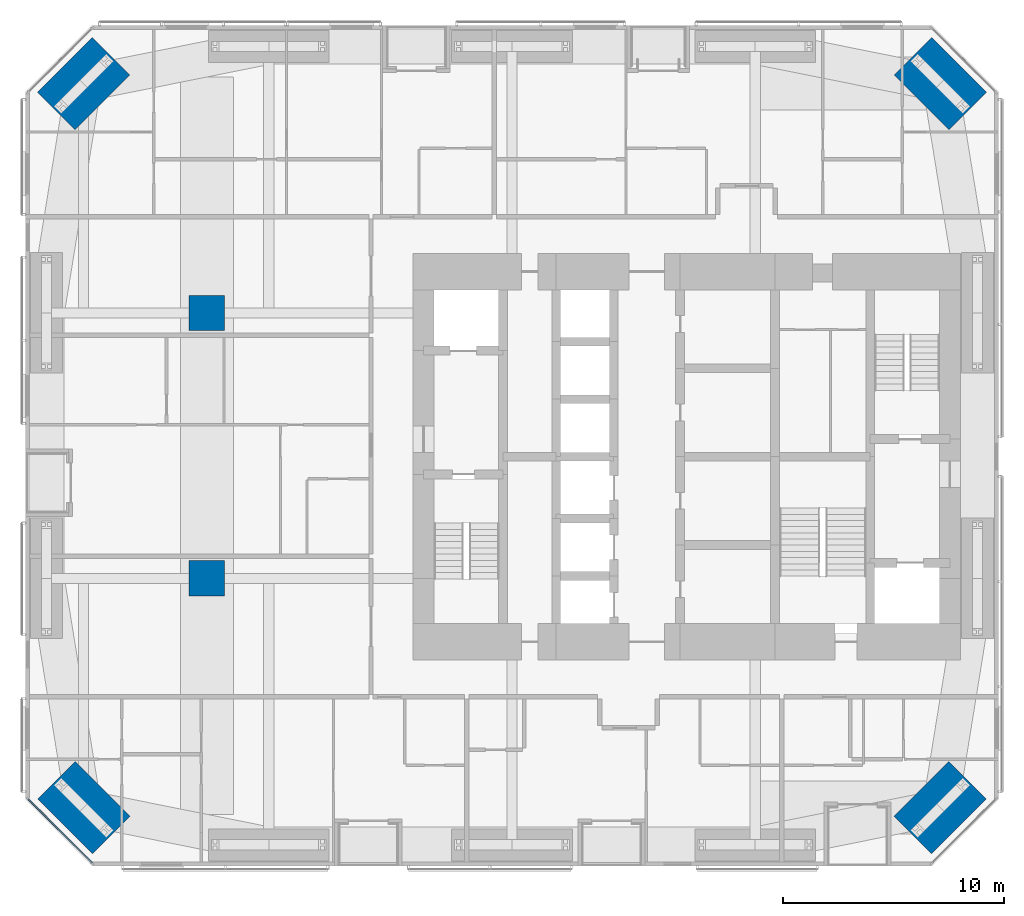
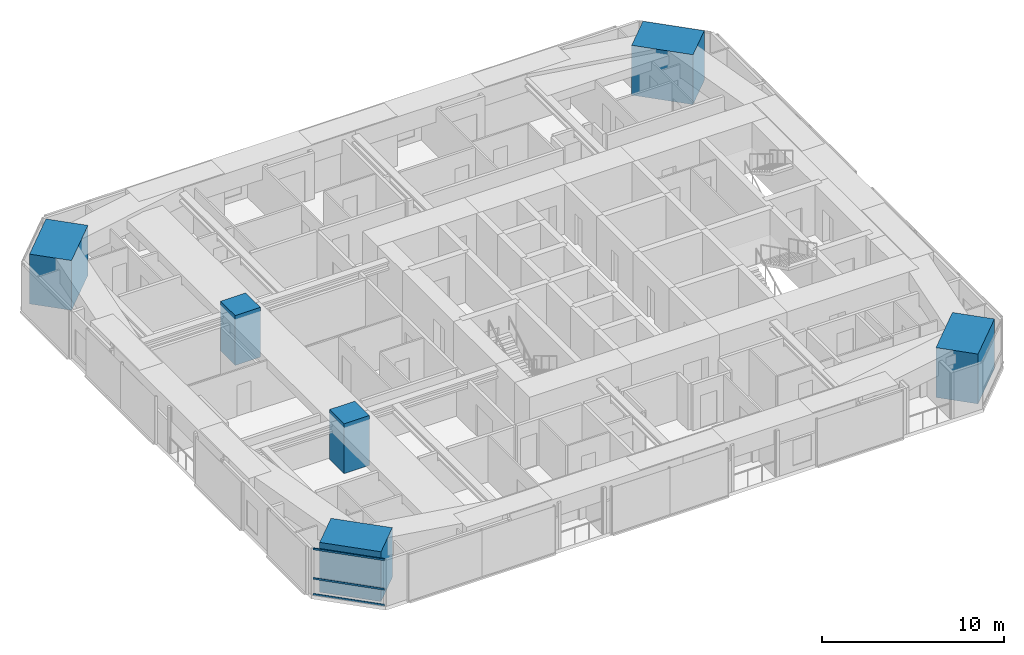
# One storey, part 1 of 23: 6 columns, 3 members, 1 element without a shape of its own.
"""IFC4 building model written with IfcOpenShell, lengths in metres."""

from ifc_helpers import new_model, si_unit, direction, frame, origin, origin_2d, place, context, subcontext, project, spatial, rectangle, extrude, material, material_profile, profile_set, type_object, element, aggregate, save


model = new_model("IFC4")

# Units and contexts
model_context = context("Model", 3, precision=1e-05, world=origin(), true_north=direction((0.0, 1.0)))
body_context = subcontext(model_context, "Body", "Model", "MODEL_VIEW")
ifc_project = project(units=[si_unit("LENGTHUNIT", "METRE"), si_unit("AREAUNIT", "SQUARE_METRE"), si_unit("VOLUMEUNIT", "CUBIC_METRE"), si_unit("PLANEANGLEUNIT", "RADIAN"), si_unit("MASSUNIT", "GRAM", prefix="KILO")], contexts=[model_context])

# Site, building, storey
site_placement = place(None, origin())
site = spatial("IfcSite", under=ifc_project, at=site_placement, CompositionType="ELEMENT")
building_placement = place(site_placement, origin())
building = spatial("IfcBuilding", under=site, at=building_placement, Name="Jalousie Tower", CompositionType="ELEMENT")
storey_placement = place(building_placement, frame((0.0, 0.0, 37.75)))
storey = spatial("IfcBuildingStorey", under=building, at=storey_placement, Name="L09", CompositionType="ELEMENT", Elevation=37.75)

# Columns
ifc_material_1 = material(Name="Concrete f'c 120 MPa", Category="concrete")
ifc_material_profile_1 = material_profile(ifc_material_1, rectangle(XDim=1.60009765625, YDim=1.60009765625, at=origin_2d()), Name="RC 1600x1600")
ifc_profile_set_1 = profile_set([ifc_material_profile_1], Name="Concrete f'c 120 MPa")
column_type_1 = type_object("IfcColumnType", Name="RC COLUMN 1600x1600", PredefinedType="COLUMN", material=ifc_profile_set_1)
for number, where, z_axis, x_axis, name in (
    (1, (10.199951171875, 13.0, 0.0), (0.0, 0.0, 1.0), (1.0, 0.0, 0.0), "Interior column IA1 L09"),
    (2, (10.199951171875, 25.0, 0.0), (0.0, 0.0, 1.0), (1.0, 0.0, 0.0), "Interior column IA2 L09"),
):
    element("IfcColumn", number, at=place(storey_placement, frame(where, z_axis=z_axis, x_axis=x_axis)), inside=storey, type_object=column_type_1, Name=name, PredefinedType="COLUMN", context=body_context, shape_type="SweptSolid", body=[
        extrude(rectangle(XDim=1.60009765625, YDim=1.60009765625, at=origin_2d()), origin(), (0.0, 0.0, 1.0), 3.35009765625),
    ])
ifc_material_2 = material(Name="Concrete f'c 120 MPa", Category="concrete")
ifc_material_profile_2 = material_profile(ifc_material_2, rectangle(XDim=2.39990234375, YDim=3.5, at=origin_2d()), Name="RC 2400x3500")
ifc_profile_set_2 = profile_set([ifc_material_profile_2], Name="Concrete f'c 120 MPa")
column_type_2 = type_object("IfcColumnType", Name="RC CORNER COLUMN 2400x3500", PredefinedType="COLUMN", material=ifc_profile_set_2)
for number, where, z_axis, x_axis, name in (
    (3, (4.63134765625, 2.63134765625, 0.0), (0.0, 0.0, 1.0), (0.707106781187, 0.707106781187, 0.0), "Corner column 01 L09"),
    (4, (43.36865234375, 2.63134765625, 0.0), (0.0, 0.0, 1.0), (-0.707106781187, 0.707106781187, 0.0), "Corner column 05 L09"),
    (5, (43.36865234375, 35.36865234375, 0.0), (0.0, 0.0, 1.0), (-0.707106781187, -0.707106781187, 0.0), "Corner column 08 L09"),
    (6, (4.63134765625, 35.36865234375, 0.0), (0.0, 0.0, 1.0), (0.707106781187, -0.707106781187, 0.0), "Corner column 12 L09"),
):
    element("IfcColumn", number, at=place(storey_placement, frame(where, z_axis=z_axis, x_axis=x_axis)), inside=storey, type_object=column_type_2, Name=name, PredefinedType="COLUMN", context=body_context, shape_type="SweptSolid", body=[
        extrude(rectangle(XDim=2.39990234375, YDim=3.5, at=origin_2d()), origin(), (0.0, 0.0, 1.0), 3.35009765625),
    ])

# Curtain wall, members
ifc_material_3 = material(Name="Aluminium curtain wall", Category="aluminium")
curtain_wall_type = type_object("IfcCurtainWallType", Name="CORNER WINDOW WALL", PredefinedType="USERDEFINED", material=ifc_material_3)
curtain_wall_placement = place(storey_placement, origin())
curtain_wall = element("IfcCurtainWall", 7, at=curtain_wall_placement, inside=storey, type_object=curtain_wall_type, Name="Corner Window Wall L09 8", ObjectType="CORNER WINDOW WALL", PredefinedType="USERDEFINED")
ifc_material_4 = material(Name="Aluminium transom", Category="aluminium")
ifc_material_profile_3 = material_profile(ifc_material_4, rectangle(XDim=0.06005859375, YDim=0.1201171875, at=origin_2d()), Name="TRANSOM 60x120")
ifc_profile_set_3 = profile_set([ifc_material_profile_3], Name="Aluminium transom")
member_type = type_object("IfcMemberType", Name="CORNER WINDOW WALL TRANSOM", PredefinedType="USERDEFINED", material=ifc_profile_set_3)
member_1_placement = place(storey_placement, frame((2.1298828125, 3.0087890625, 0.030029296875), z_axis=(0.707106781187, -0.707106781187, 0.0), x_axis=(0.707106781187, 0.707106781187, 0.0)))
member_1 = element("IfcMember", 8, at=member_1_placement, type_object=member_type, Name="CW-C transom 1.1", ObjectType="TRANSOM", PredefinedType="USERDEFINED", context=body_context, shape_type="SweptSolid", body=[
    extrude(rectangle(XDim=0.06005859375, YDim=0.1201171875, at=origin_2d()), origin(), (0.0, 0.0, 1.0), 4.0712890625),
])
member_2_placement = place(storey_placement, frame((2.1298828125, 3.0087890625, 1.10009765625), z_axis=(0.707106781187, -0.707106781187, 0.0), x_axis=(0.707106781187, 0.707106781187, 0.0)))
member_2 = element("IfcMember", 9, at=member_2_placement, type_object=member_type, Name="CW-C transom 1.2", ObjectType="TRANSOM", PredefinedType="USERDEFINED", context=body_context, shape_type="SweptSolid", body=[
    extrude(rectangle(XDim=0.06005859375, YDim=0.1201171875, at=origin_2d()), origin(), (0.0, 0.0, 1.0), 4.0712890625),
])
member_3_placement = place(storey_placement, frame((2.1298828125, 3.0087890625, 3.080078125), z_axis=(0.707106781187, -0.707106781187, 0.0), x_axis=(0.707106781187, 0.707106781187, 0.0)))
member_3 = element("IfcMember", 10, at=member_3_placement, type_object=member_type, Name="CW-C transom 1.3", ObjectType="TRANSOM", PredefinedType="USERDEFINED", context=body_context, shape_type="SweptSolid", body=[
    extrude(rectangle(XDim=0.06005859375, YDim=0.1201171875, at=origin_2d()), origin(), (0.0, 0.0, 1.0), 4.0712890625),
])
aggregate(curtain_wall, [member_1, member_2, member_3])

save(model, "model.ifc")
